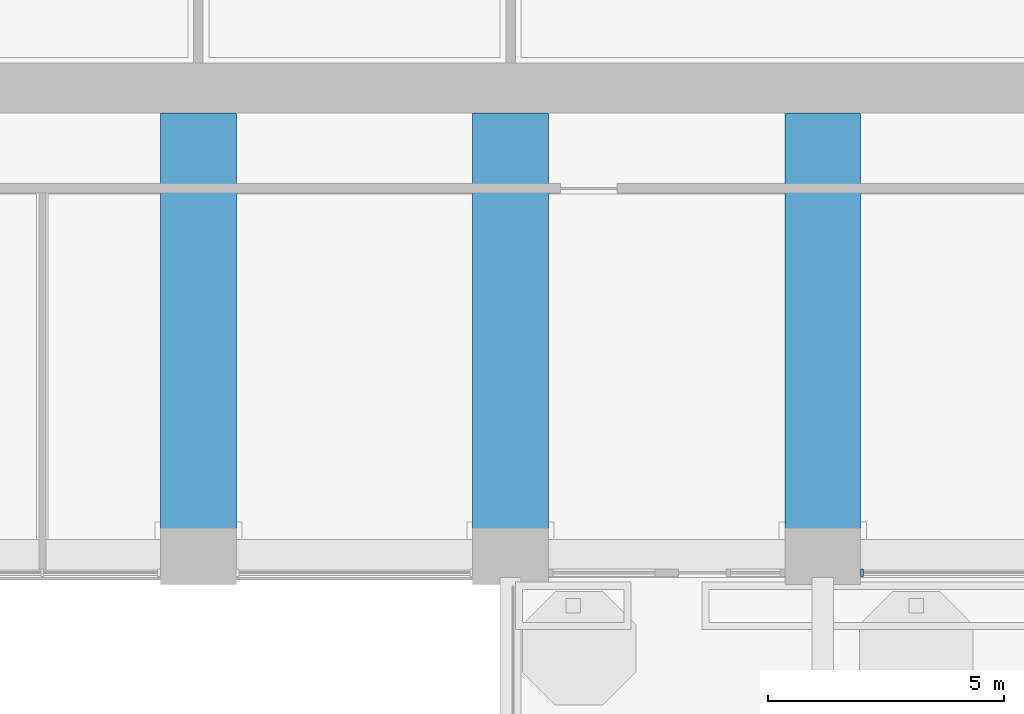
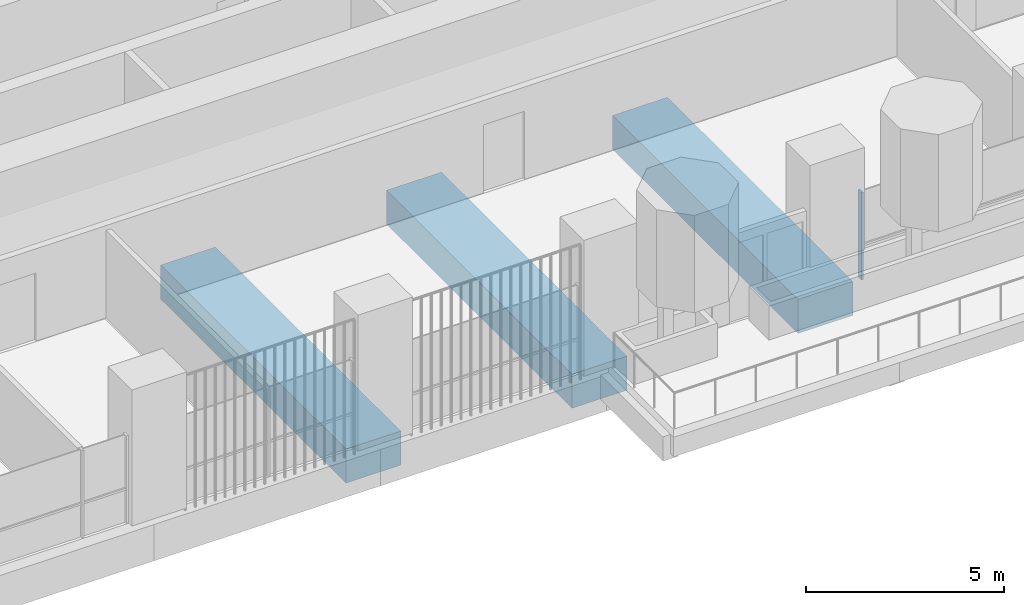
# One storey, part 3 of 19: 3 beams, 1 member, 1 element without a shape of its own.
"""IFC4 building model written with IfcOpenShell, lengths in metres."""

from ifc_helpers import new_model, si_unit, direction, frame, origin, origin_2d, place, context, subcontext, project, spatial, rectangle, extrude, material, material_profile, profile_set, type_object, element, aggregate, save


model = new_model("IFC4")

# Units and contexts
model_context = context("Model", 3, precision=1e-05, world=origin(), true_north=direction((0.0, 1.0)))
body_context = subcontext(model_context, "Body", "Model", "MODEL_VIEW")
ifc_project = project(units=[si_unit("LENGTHUNIT", "METRE"), si_unit("AREAUNIT", "SQUARE_METRE"), si_unit("VOLUMEUNIT", "CUBIC_METRE"), si_unit("PLANEANGLEUNIT", "RADIAN"), si_unit("MASSUNIT", "GRAM", prefix="KILO")], contexts=[model_context])

# Site, building, storey
site_placement = place(None, origin())
site = spatial("IfcSite", under=ifc_project, at=site_placement, CompositionType="ELEMENT")
building_placement = place(site_placement, origin())
building = spatial("IfcBuilding", under=site, at=building_placement, Name="Cobogo Forest Laboratory Tower", CompositionType="ELEMENT")
storey_placement = place(building_placement, frame((0.0, 0.0, 206.10009765625)))
storey = spatial("IfcBuildingStorey", under=building, at=storey_placement, Name="L47", CompositionType="ELEMENT", Elevation=206.10009765625)

# Beams
ifc_material_1 = material(Name="Concrete HA-50 (C50/60)", Category="concrete")
ifc_material_profile_1 = material_profile(ifc_material_1, rectangle(XDim=1.60009765625, YDim=1.050048828125, at=origin_2d()), Name="RC 1600x1050")
ifc_profile_set_1 = profile_set([ifc_material_profile_1], Name="Concrete HA-50 (C50/60)")
beam_type = type_object("IfcBeamType", Name="Laboratory floor wide beam 1600x1050", PredefinedType="BEAM", material=ifc_profile_set_1)
for number, where, z_axis, x_axis, name in (
    (1, (19.800048828125, 12.675048828125, -0.8251953125), (0.0, -1.0, 0.0), (1.0, 0.0, 0.0), "RB8 R-4-S L47"),
    (2, (26.39990234375, 12.675048828125, -0.8251953125), (0.0, -1.0, 0.0), (1.0, 0.0, 0.0), "RB8 R-5-S L47"),
    (3, (33.0, 12.675048828125, -0.8251953125), (0.0, -1.0, 0.0), (1.0, 0.0, 0.0), "RB8 R-6-S L47"),
):
    element("IfcBeam", number, at=place(storey_placement, frame(where, z_axis=z_axis, x_axis=x_axis)), inside=storey, type_object=beam_type, Name=name, PredefinedType="BEAM", context=body_context, shape_type="SweptSolid", body=[
        extrude(rectangle(XDim=1.60009765625, YDim=1.050048828125, at=origin_2d()), origin(), (0.0, 0.0, 1.0), 9.375),
    ])

# Curtain wall, member
ifc_material_2 = material(Name="Aluminium curtain wall", Category="aluminium")
curtain_wall_type = type_object("IfcCurtainWallType", Name="CW-2 unitised curtain wall, solar control glazing, laboratory floors zones C and D", PredefinedType="USERDEFINED", material=ifc_material_2)
curtain_wall_placement = place(storey_placement, origin())
curtain_wall = element("IfcCurtainWall", 4, at=curtain_wall_placement, inside=storey, type_object=curtain_wall_type, Name="Curtain wall 05 L47", ObjectType="UNITISED CURTAIN WALL", PredefinedType="USERDEFINED")
ifc_material_3 = material(Name="Aluminium mullion", Category="aluminium")
ifc_material_profile_2 = material_profile(ifc_material_3, rectangle(XDim=0.06005859375, YDim=0.159912109375, at=origin_2d()), Name="AL 60x160")
ifc_profile_set_2 = profile_set([ifc_material_profile_2], Name="Aluminium mullion")
member_type = type_object("IfcMemberType", Name="MU-1 aluminium mullion 60x160", PredefinedType="MULLION", material=ifc_profile_set_2)
member_placement = place(storey_placement, frame((33.830078125, 2.949951171875, 0.0), z_axis=(0.0, 0.0, 1.0), x_axis=(1.0, 0.0, 0.0)))
member = element("IfcMember", 5, at=member_placement, type_object=member_type, Name="CW-2 mullion 1", PredefinedType="MULLION", context=body_context, shape_type="SweptSolid", body=[
    extrude(rectangle(XDim=0.06005859375, YDim=0.159912109375, at=origin_2d()), origin(), (0.0, 0.0, 1.0), 2.699951171875),
])
aggregate(curtain_wall, [member])

save(model, "model.ifc")
